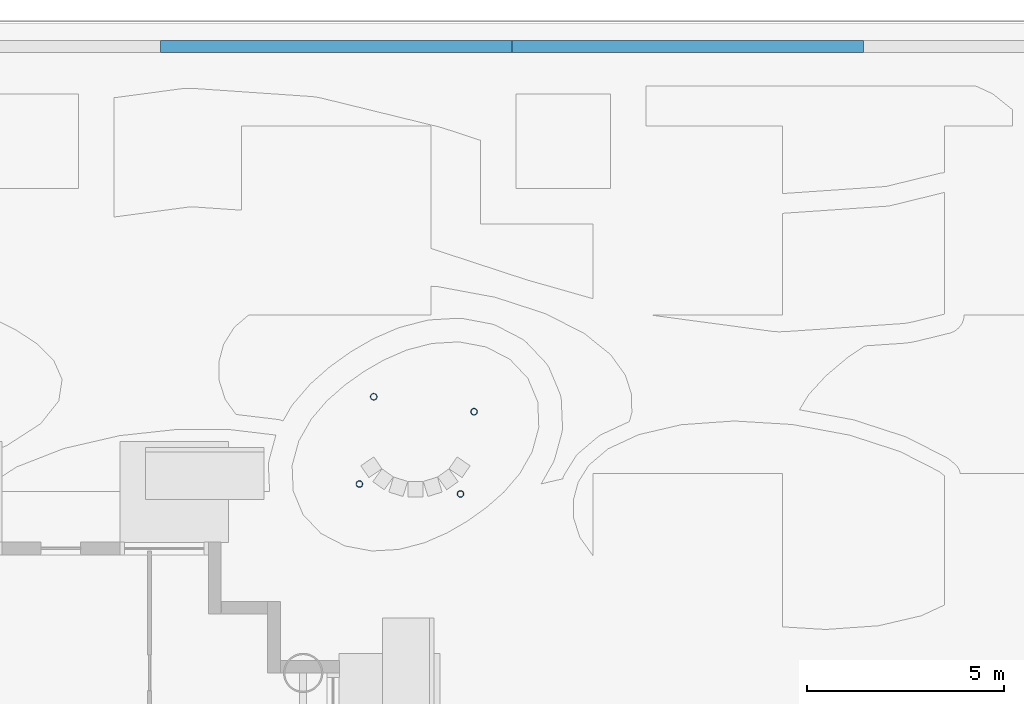
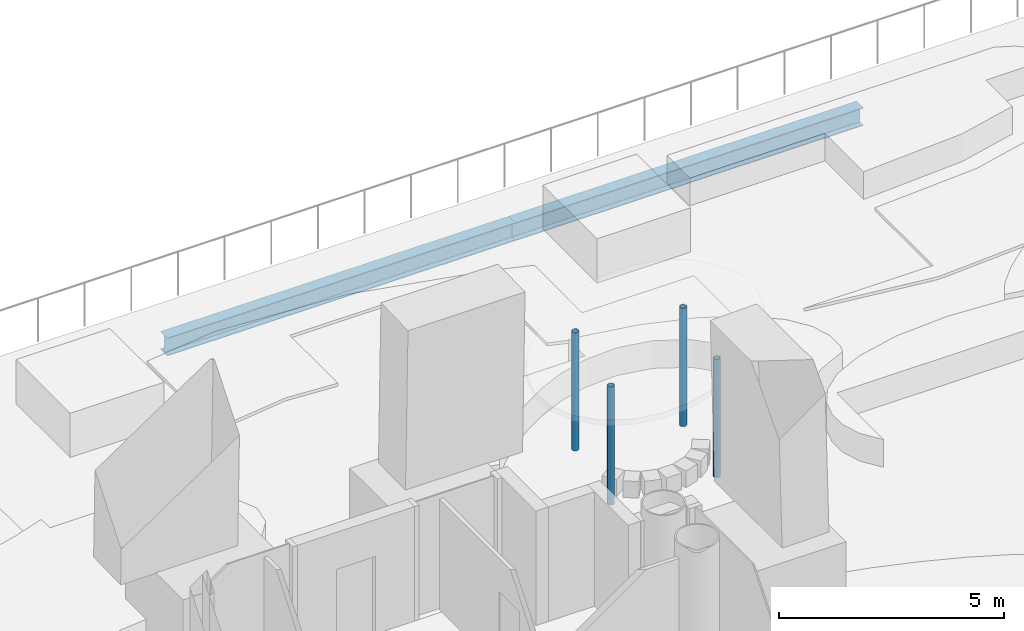
# One storey, part 12 of 40: 4 members, 2 beams.
"""IFC4 building model written with IfcOpenShell, lengths in metres."""

from ifc_helpers import new_model, si_unit, direction, frame, origin, origin_2d, place, context, subcontext, project, spatial, hollow_circle, i_section, extrude, material, material_profile, profile_set, type_object, element, save


model = new_model("IFC4")

# Units and contexts
model_context = context("Model", 3, precision=1e-05, world=origin(), true_north=direction((0.0, 1.0)))
body_context = subcontext(model_context, "Body", "Model", "MODEL_VIEW")
ifc_project = project(units=[si_unit("LENGTHUNIT", "METRE"), si_unit("AREAUNIT", "SQUARE_METRE"), si_unit("VOLUMEUNIT", "CUBIC_METRE"), si_unit("PLANEANGLEUNIT", "RADIAN"), si_unit("MASSUNIT", "GRAM", prefix="KILO")], contexts=[model_context])

# Site, building, storey
site_placement = place(None, origin())
site = spatial("IfcSite", under=ifc_project, at=site_placement, CompositionType="ELEMENT")
building_placement = place(site_placement, origin())
building = spatial("IfcBuilding", under=site, at=building_placement, Name="Ipe Terrace Towers", CompositionType="ELEMENT")
storey_placement = place(building_placement, frame((0.0, 0.0, 24.5)))
storey = spatial("IfcBuildingStorey", under=building, at=storey_placement, Name="L05", CompositionType="ELEMENT", Elevation=24.5)

# Members
ifc_material_1 = material(Name="Steel S355", Category="steel")
ifc_material_profile_1 = material_profile(ifc_material_1, hollow_circle(Radius=0.083984375, WallThickness=0.008056640625, at=origin_2d()), Name="CANOPY POST CHS 168")
ifc_profile_set_1 = profile_set([ifc_material_profile_1], Name="Steel S355")
member_type = type_object("IfcMemberType", Name="CANOPY POST CHS 168", PredefinedType="POST", material=ifc_profile_set_1)
for number, where, z_axis, x_axis, name in (
    (1, (-25.513916015625, 23.881103515625, -0.02001953125), (0.0, 0.0, 1.0), (1.0, 0.0, 0.0), "canopy post"),
    (2, (-28.05908203125, 24.260986328125, -0.02001953125), (0.0, 0.0, 1.0), (1.0, 0.0, 0.0), "canopy post"),
    (3, (-28.424072265625, 22.0458984375, -0.02001953125), (0.0, 0.0, 1.0), (1.0, 0.0, 0.0), "canopy post"),
    (4, (-25.85791015625, 21.7939453125, -0.02001953125), (0.0, 0.0, 1.0), (1.0, 0.0, 0.0), "canopy post"),
):
    element("IfcMember", number, at=place(storey_placement, frame(where, z_axis=z_axis, x_axis=x_axis)), inside=storey, type_object=member_type, Name=name, PredefinedType="POST", context=body_context, shape_type="SweptSolid", body=[
        extrude(hollow_circle(Radius=0.083984375, WallThickness=0.008056640625, at=origin_2d()), origin(), (0.0, 0.0, 1.0), 3.199951171875),
    ])

# Beams
ifc_material_2 = material(Name="Steel S355", Category="steel")
ifc_material_profile_2 = material_profile(ifc_material_2, i_section(OverallWidth=0.300048828125, OverallDepth=0.488037109375, WebThickness=0.010986328125, FlangeThickness=0.01806640625, at=origin_2d()), Name="H-488x300x11x18")
ifc_profile_set_2 = profile_set([ifc_material_profile_2], Name="Steel S355")
beam_type = type_object("IfcBeamType", Name="H09 EDGE BEAM H-488x300x11x18", PredefinedType="BEAM", material=ifc_profile_set_2)
beam_1_placement = place(storey_placement, frame((-33.469970703125, 33.14990234375, -0.6689453125), z_axis=(1.0, 0.0, 0.0), x_axis=(0.0, 1.0, 0.0)))
element("IfcBeam", 5, at=beam_1_placement, inside=storey, type_object=beam_type, Name="Edge beam PD-EB-K05-K06", PredefinedType="BEAM", context=body_context, shape_type="SweptSolid", body=[
    extrude(i_section(OverallWidth=0.300048828125, OverallDepth=0.488037109375, WebThickness=0.010986328125, FlangeThickness=0.01806640625, at=origin_2d()), origin(), (0.0, 0.0, 1.0), 8.919921875),
])
beam_2_placement = place(storey_placement, frame((-24.550048828125, 33.14990234375, -0.6689453125), z_axis=(1.0, 0.0, 0.0), x_axis=(0.0, 1.0, 0.0)))
element("IfcBeam", 6, at=beam_2_placement, inside=storey, type_object=beam_type, Name="Edge beam PD-EB-K06-K07", PredefinedType="BEAM", context=body_context, shape_type="SweptSolid", body=[
    extrude(i_section(OverallWidth=0.300048828125, OverallDepth=0.488037109375, WebThickness=0.010986328125, FlangeThickness=0.01806640625, at=origin_2d()), origin(), (0.0, 0.0, 1.0), 8.920166015625),
])

save(model, "model.ifc")
